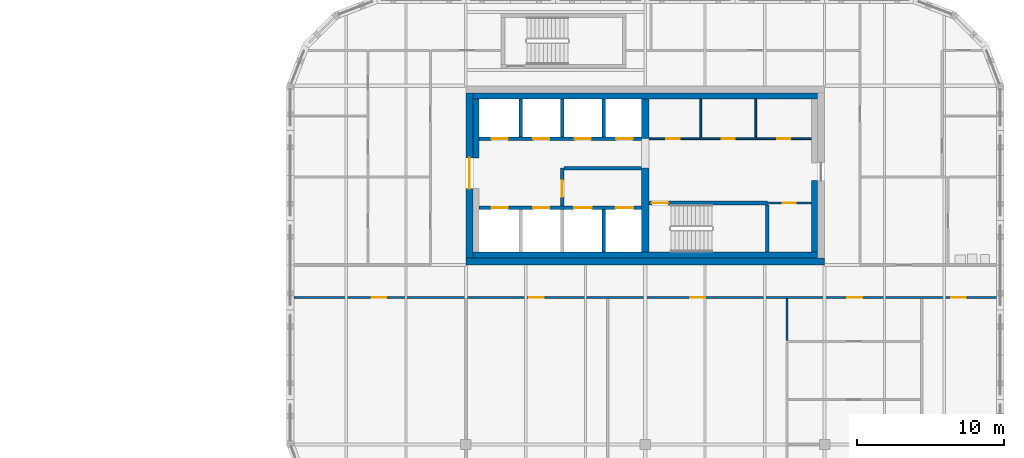
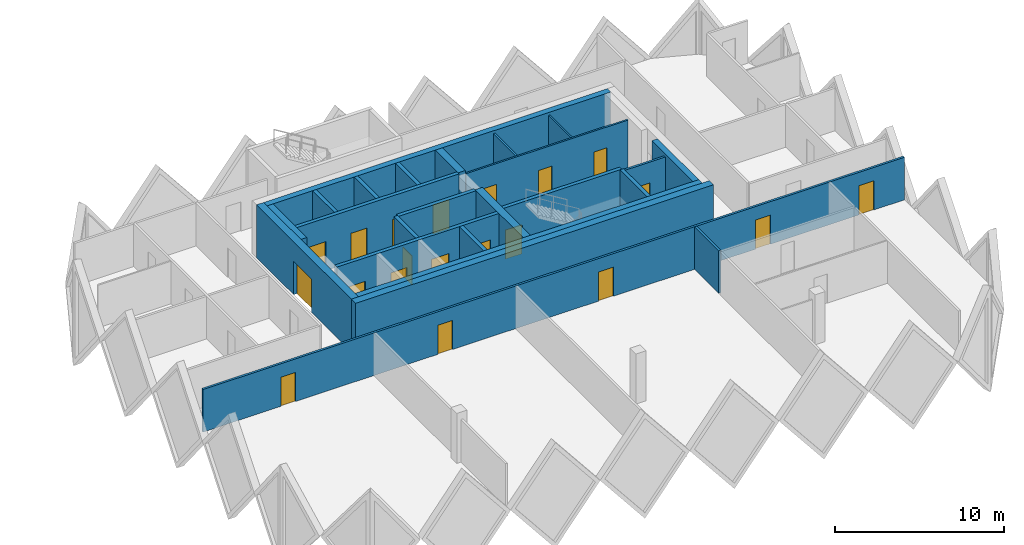
# One storey, part 13 of 19: 24 walls, 20 doors, 20 openings.
"""IFC4 building model written with IfcOpenShell, lengths in metres."""

from ifc_helpers import new_model, si_unit, direction, frame, frame_2d, origin, place, context, subcontext, project, spatial, rectangle, extrude, source, transform, mapped, material, layer, layer_set, type_object, element, fill, save


model = new_model("IFC4")

# Units and contexts
model_context = context("Model", 3, precision=1e-05, world=origin(), true_north=direction((0.0, 1.0)))
body_context = subcontext(model_context, "Body", "Model", "MODEL_VIEW")
ifc_project = project(units=[si_unit("LENGTHUNIT", "METRE"), si_unit("AREAUNIT", "SQUARE_METRE"), si_unit("VOLUMEUNIT", "CUBIC_METRE"), si_unit("PLANEANGLEUNIT", "RADIAN"), si_unit("MASSUNIT", "GRAM", prefix="KILO")], contexts=[model_context])

# Site, building, storey
site_placement = place(None, origin())
site = spatial("IfcSite", under=ifc_project, at=site_placement, CompositionType="ELEMENT")
building_placement = place(site_placement, origin())
building = spatial("IfcBuilding", under=site, at=building_placement, Name="Tessera Gate Towers", CompositionType="ELEMENT")
storey_placement = place(building_placement, frame((0.0, 0.0, 80.0)))
storey = spatial("IfcBuildingStorey", under=building, at=storey_placement, Name="L19", CompositionType="ELEMENT", Elevation=80.0)

# Wall, openings, doors
ifc_material_1 = material(Name="Concrete C40/50", Category="concrete")
ifc_layer_1 = layer(ifc_material_1, 0.25)
ifc_layer_set_1 = layer_set([ifc_layer_1], Name="CORE ENCLOSURE WALL 250")
wall_type_1 = type_object("IfcWallType", Name="CORE ENCLOSURE WALL 250", PredefinedType="SOLIDWALL", material=ifc_layer_set_1)
wall_1_placement = place(storey_placement, frame((98.5, 40.5, 0.0), z_axis=(0.0, 0.0, 1.0), x_axis=(1.0, 0.0, 0.0)))
wall_1 = element("IfcWall", 1, at=wall_1_placement, inside=storey, type_object=wall_type_1, Name="L19 shaft and stair enclosure wall", PredefinedType="SOLIDWALL", context=body_context, shape_type="SweptSolid", body=[
    extrude(rectangle(XDim=11.050048828125, YDim=0.25, at=frame_2d((5.52490234375, 0.0))), origin(), (0.0, 0.0, 1.0), 3.800048828125),
])
shared_shape_1 = source(origin(), body_context, "Body", "SweptSolid", [
    extrude(rectangle(XDim=1.10009765625, YDim=2.10009765625, at=frame_2d((0.550048828125, 1.050048828125))), frame((0.0, 0.135009765625, 0.0), z_axis=(0.0, -1.0, 0.0), x_axis=(1.0, 0.0, 0.0)), (0.0, 0.0, 1.0), 0.27001953125),
])
opening_1_placement = place(wall_1_placement, frame((0.862548828125, 0.0, 0.0)))
opening_1 = element("IfcOpeningElement", 2, at=opening_1_placement, cuts=wall_1, Name="Opening LD-TL1", PredefinedType="OPENING", context=body_context, shape_type="MappedRepresentation", body=[
    mapped(shared_shape_1, transform((0.0, 0.0, 0.0), scale=1.0)),
])
opening_2_placement = place(wall_1_placement, frame((3.6875, 0.0, 0.0)))
opening_2 = element("IfcOpeningElement", 3, at=opening_2_placement, cuts=wall_1, Name="Opening LD-TL2", PredefinedType="OPENING", context=body_context, shape_type="MappedRepresentation", body=[
    mapped(shared_shape_1, transform((0.0, 0.0, 0.0), scale=1.0)),
])
shared_shape_2 = source(origin(), body_context, "Body", "SweptSolid", [
    extrude(rectangle(XDim=1.199951171875, YDim=2.10009765625, at=frame_2d((0.60009765625, 1.050048828125))), frame((0.0, 0.135009765625, 0.0), z_axis=(0.0, -1.0, 0.0), x_axis=(1.0, 0.0, 0.0)), (0.0, 0.0, 1.0), 0.27001953125),
])
opening_3_placement = place(wall_1_placement, frame((6.46240234375, 0.0, 0.0)))
opening_3 = element("IfcOpeningElement", 4, at=opening_3_placement, cuts=wall_1, Name="Opening LD-FF3", PredefinedType="OPENING", context=body_context, shape_type="MappedRepresentation", body=[
    mapped(shared_shape_2, transform((0.0, 0.0, 0.0), scale=1.0)),
])
opening_4_placement = place(wall_1_placement, frame((9.28759765625, 0.0, 0.0)))
opening_4 = element("IfcOpeningElement", 5, at=opening_4_placement, cuts=wall_1, Name="Opening LD-FF4", PredefinedType="OPENING", context=body_context, shape_type="MappedRepresentation", body=[
    mapped(shared_shape_2, transform((0.0, 0.0, 0.0), scale=1.0)),
])
ifc_material_2 = material(Name="Stainless steel", Category="steel")
door_type_1 = type_object("IfcDoorType", Name="CORE DOOR LD1200 1200x2100", OperationType="DOUBLE_DOOR_SLIDING", PredefinedType="DOOR", material=ifc_material_2)
shared_shape_3 = source(origin(), body_context, "Body", "SweptSolid", [
    extrude(rectangle(XDim=1.199951171875, YDim=2.10009765625, at=frame_2d((0.60009765625, 1.050048828125))), frame((0.0, 0.02490234375, 0.0), z_axis=(0.0, -1.0, 0.0), x_axis=(1.0, 0.0, 0.0)), (0.0, 0.0, 1.0), 0.050048828125),
])
door_1_placement = place(opening_3_placement, origin())
door_1 = element("IfcDoor", 6, at=door_1_placement, inside=storey, type_object=door_type_1, Name="Landing door FF3 L19", OperationType="DOUBLE_DOOR_SLIDING", OverallHeight=2.10009765625, OverallWidth=1.199951171875, PredefinedType="DOOR", context=body_context, shape_type="MappedRepresentation", body=[
    mapped(shared_shape_3, transform((0.0, 0.0, 0.0), scale=1.0)),
])
fill(opening_3, door_1)
door_2_placement = place(opening_4_placement, origin())
door_2 = element("IfcDoor", 7, at=door_2_placement, inside=storey, type_object=door_type_1, Name="Landing door FF4 L19", OperationType="DOUBLE_DOOR_SLIDING", OverallHeight=2.10009765625, OverallWidth=1.199951171875, PredefinedType="DOOR", context=body_context, shape_type="MappedRepresentation", body=[
    mapped(shared_shape_3, transform((0.0, 0.0, 0.0), scale=1.0)),
])
fill(opening_4, door_2)
ifc_material_3 = material(Name="Stainless steel", Category="steel")
door_type_2 = type_object("IfcDoorType", Name="CORE DOOR LD 1100x2100", OperationType="DOUBLE_DOOR_SLIDING", PredefinedType="DOOR", material=ifc_material_3)
shared_shape_4 = source(origin(), body_context, "Body", "SweptSolid", [
    extrude(rectangle(XDim=1.10009765625, YDim=2.10009765625, at=frame_2d((0.550048828125, 1.050048828125))), frame((0.0, 0.02490234375, 0.0), z_axis=(0.0, -1.0, 0.0), x_axis=(1.0, 0.0, 0.0)), (0.0, 0.0, 1.0), 0.050048828125),
])
door_3_placement = place(opening_1_placement, origin())
door_3 = element("IfcDoor", 8, at=door_3_placement, inside=storey, type_object=door_type_2, Name="Landing door TL1 L19", OperationType="DOUBLE_DOOR_SLIDING", OverallHeight=2.10009765625, OverallWidth=1.10009765625, PredefinedType="DOOR", context=body_context, shape_type="MappedRepresentation", body=[
    mapped(shared_shape_4, transform((0.0, 0.0, 0.0), scale=1.0)),
])
fill(opening_1, door_3)
door_4_placement = place(opening_2_placement, origin())
door_4 = element("IfcDoor", 9, at=door_4_placement, inside=storey, type_object=door_type_2, Name="Landing door TL2 L19", OperationType="DOUBLE_DOOR_SLIDING", OverallHeight=2.10009765625, OverallWidth=1.10009765625, PredefinedType="DOOR", context=body_context, shape_type="MappedRepresentation", body=[
    mapped(shared_shape_4, transform((0.0, 0.0, 0.0), scale=1.0)),
])
fill(opening_2, door_4)

wall_2_placement = place(storey_placement, frame((109.550048828125, 45.199951171875, 0.0), z_axis=(0.0, 0.0, 1.0), x_axis=(-1.0, 0.0, 0.0)))
wall_2 = element("IfcWall", 10, at=wall_2_placement, inside=storey, type_object=wall_type_1, Name="L19 shaft and stair enclosure wall", PredefinedType="SOLIDWALL", context=body_context, shape_type="SweptSolid", body=[
    extrude(rectangle(XDim=11.050048828125, YDim=0.25, at=frame_2d((5.52490234375, 0.0))), origin(), (0.0, 0.0, 1.0), 3.800048828125),
])
opening_5_placement = place(wall_2_placement, frame((9.08740234375, 0.0, 0.0)))
opening_5 = element("IfcOpeningElement", 11, at=opening_5_placement, cuts=wall_2, Name="Opening LD-TL3", PredefinedType="OPENING", context=body_context, shape_type="MappedRepresentation", body=[
    mapped(shared_shape_1, transform((0.0, 0.0, 0.0), scale=1.0)),
])
opening_6_placement = place(wall_2_placement, frame((6.262451171875, 0.0, 0.0)))
opening_6 = element("IfcOpeningElement", 12, at=opening_6_placement, cuts=wall_2, Name="Opening LD-TL4", PredefinedType="OPENING", context=body_context, shape_type="MappedRepresentation", body=[
    mapped(shared_shape_1, transform((0.0, 0.0, 0.0), scale=1.0)),
])
opening_7_placement = place(wall_2_placement, frame((3.4375, 0.0, 0.0)))
opening_7 = element("IfcOpeningElement", 13, at=opening_7_placement, cuts=wall_2, Name="Opening LD-TL5", PredefinedType="OPENING", context=body_context, shape_type="MappedRepresentation", body=[
    mapped(shared_shape_1, transform((0.0, 0.0, 0.0), scale=1.0)),
])
opening_8_placement = place(wall_2_placement, frame((0.612548828125, 0.0, 0.0)))
opening_8 = element("IfcOpeningElement", 14, at=opening_8_placement, cuts=wall_2, Name="Opening LD-TL6", PredefinedType="OPENING", context=body_context, shape_type="MappedRepresentation", body=[
    mapped(shared_shape_1, transform((0.0, 0.0, 0.0), scale=1.0)),
])
door_5_placement = place(opening_5_placement, origin())
door_5 = element("IfcDoor", 15, at=door_5_placement, inside=storey, type_object=door_type_2, Name="Landing door TL3 L19", OperationType="DOUBLE_DOOR_SLIDING", OverallHeight=2.10009765625, OverallWidth=1.10009765625, PredefinedType="DOOR", context=body_context, shape_type="MappedRepresentation", body=[
    mapped(shared_shape_4, transform((0.0, 0.0, 0.0), scale=1.0)),
])
fill(opening_5, door_5)
door_6_placement = place(opening_6_placement, origin())
door_6 = element("IfcDoor", 16, at=door_6_placement, inside=storey, type_object=door_type_2, Name="Landing door TL4 L19", OperationType="DOUBLE_DOOR_SLIDING", OverallHeight=2.10009765625, OverallWidth=1.10009765625, PredefinedType="DOOR", context=body_context, shape_type="MappedRepresentation", body=[
    mapped(shared_shape_4, transform((0.0, 0.0, 0.0), scale=1.0)),
])
fill(opening_6, door_6)
door_7_placement = place(opening_7_placement, origin())
door_7 = element("IfcDoor", 17, at=door_7_placement, inside=storey, type_object=door_type_2, Name="Landing door TL5 L19", OperationType="DOUBLE_DOOR_SLIDING", OverallHeight=2.10009765625, OverallWidth=1.10009765625, PredefinedType="DOOR", context=body_context, shape_type="MappedRepresentation", body=[
    mapped(shared_shape_4, transform((0.0, 0.0, 0.0), scale=1.0)),
])
fill(opening_7, door_7)
door_8_placement = place(opening_8_placement, origin())
door_8 = element("IfcDoor", 18, at=door_8_placement, inside=storey, type_object=door_type_2, Name="Landing door TL6 L19", OperationType="DOUBLE_DOOR_SLIDING", OverallHeight=2.10009765625, OverallWidth=1.10009765625, PredefinedType="DOOR", context=body_context, shape_type="MappedRepresentation", body=[
    mapped(shared_shape_4, transform((0.0, 0.0, 0.0), scale=1.0)),
])
fill(opening_8, door_8)

# Wall, opening, door
wall_3_placement = place(storey_placement, frame((118.10009765625, 40.824951171875, 0.0), z_axis=(0.0, 0.0, 1.0), x_axis=(-1.0, 0.0, 0.0)))
wall_3 = element("IfcWall", 19, at=wall_3_placement, inside=storey, type_object=wall_type_1, Name="L19 shaft and stair enclosure wall", PredefinedType="SOLIDWALL", context=body_context, shape_type="SweptSolid", body=[
    extrude(rectangle(XDim=8.050048828125, YDim=0.25, at=frame_2d((4.02490234375, 0.0))), origin(), (0.0, 0.0, 1.0), 3.800048828125),
])
opening_9_placement = place(wall_3_placement, frame((6.75, 0.0, 0.0)))
opening_9 = element("IfcOpeningElement", 20, at=opening_9_placement, cuts=wall_3, Name="Opening SD-ST6-1", PredefinedType="OPENING", context=body_context, shape_type="MappedRepresentation", body=[
    mapped(shared_shape_1, transform((0.0, 0.0, 0.0), scale=1.0)),
])
ifc_material_4 = material(Name="Hollow steel fire door", Category="steel")
door_type_3 = type_object("IfcDoorType", Name="CORE DOOR SD1100 1100x2100", OperationType="NOTDEFINED", PredefinedType="DOOR", material=ifc_material_4)
door_9_placement = place(opening_9_placement, origin())
door_9 = element("IfcDoor", 21, at=door_9_placement, inside=storey, type_object=door_type_3, Name="Stair door", OperationType="SINGLE_SWING_RIGHT", OverallHeight=2.10009765625, OverallWidth=1.10009765625, PredefinedType="DOOR", context=body_context, shape_type="MappedRepresentation", body=[
    mapped(shared_shape_4, transform((0.0, 0.0, 0.0), scale=1.0)),
])
fill(opening_9, door_9)

wall_4_placement = place(storey_placement, frame((104.14990234375, 43.199951171875, 0.0), z_axis=(0.0, 0.0, 1.0), x_axis=(0.0, -1.0, 0.0)))
wall_4 = element("IfcWall", 22, at=wall_4_placement, inside=storey, type_object=wall_type_1, Name="L19 shaft and stair enclosure wall", PredefinedType="SOLIDWALL", context=body_context, shape_type="SweptSolid", body=[
    extrude(rectangle(XDim=2.574951171875, YDim=0.25, at=frame_2d((1.28759765625, 0.0))), origin(), (0.0, 0.0, 1.0), 3.800048828125),
])
opening_10_placement = place(wall_4_placement, frame((0.85009765625, 0.0, 0.0)))
opening_10 = element("IfcOpeningElement", 23, at=opening_10_placement, cuts=wall_4, Name="Opening FD-T2-11-03", PredefinedType="OPENING", context=body_context, shape_type="MappedRepresentation", body=[
    mapped(shared_shape_1, transform((0.0, 0.0, 0.0), scale=1.0)),
])
ifc_material_5 = material(Name="Hollow steel fire door", Category="steel")
door_type_4 = type_object("IfcDoorType", Name="CORE DOOR FD 1100x2100", OperationType="NOTDEFINED", PredefinedType="DOOR", material=ifc_material_5)
door_10_placement = place(opening_10_placement, origin())
door_10 = element("IfcDoor", 24, at=door_10_placement, inside=storey, type_object=door_type_4, Name="Fire-fighting lobby door", OperationType="SINGLE_SWING_RIGHT", OverallHeight=2.10009765625, OverallWidth=1.10009765625, PredefinedType="DOOR", context=body_context, shape_type="MappedRepresentation", body=[
    mapped(shared_shape_4, transform((0.0, 0.0, 0.0), scale=1.0)),
])
fill(opening_10, door_10)

# Walls
wall_5_placement = place(storey_placement, frame((104.27490234375, 43.199951171875, 0.0), z_axis=(0.0, 0.0, 1.0), x_axis=(1.0, 0.0, 0.0)))
element("IfcWall", 25, at=wall_5_placement, inside=storey, type_object=wall_type_1, Name="L19 shaft and stair enclosure wall", PredefinedType="SOLIDWALL", context=body_context, shape_type="SweptSolid", body=[
    extrude(rectangle(XDim=5.275146484375, YDim=0.25, at=frame_2d((2.6376953125, 0.0))), origin(), (0.0, 0.0, 1.0), 3.800048828125),
])
wall_6_placement = place(storey_placement, frame((118.10009765625, 37.5, 0.0), z_axis=(0.0, 0.0, 1.0), x_axis=(0.0, 1.0, 0.0)))
element("IfcWall", 26, at=wall_6_placement, inside=storey, type_object=wall_type_1, Name="L19 shaft and stair enclosure wall", PredefinedType="SOLIDWALL", context=body_context, shape_type="SweptSolid", body=[
    extrude(rectangle(XDim=3.199951171875, YDim=0.25, at=frame_2d((1.60009765625, 0.0))), origin(), (0.0, 0.0, 1.0), 3.800048828125),
])
wall_7_placement = place(storey_placement, frame((106.97509765625, 37.5, 0.0), z_axis=(0.0, 0.0, 1.0), x_axis=(0.0, 1.0, 0.0)))
element("IfcWall", 27, at=wall_7_placement, inside=storey, type_object=wall_type_1, Name="L19 shaft and stair enclosure wall", PredefinedType="SOLIDWALL", context=body_context, shape_type="SweptSolid", body=[
    extrude(rectangle(XDim=2.875, YDim=0.25, at=frame_2d((1.4375, 0.0))), origin(), (0.0, 0.0, 1.0), 3.800048828125),
])
for number, where, z_axis, x_axis, name in (
    (28, (101.324951171875, 45.324951171875, 0.0), (0.0, 0.0, 1.0), (0.0, 1.0, 0.0), "L19 shaft and stair enclosure wall"),
    (29, (104.14990234375, 45.324951171875, 0.0), (0.0, 0.0, 1.0), (0.0, 1.0, 0.0), "L19 shaft and stair enclosure wall"),
    (30, (106.97509765625, 45.324951171875, 0.0), (0.0, 0.0, 1.0), (0.0, 1.0, 0.0), "L19 shaft and stair enclosure wall"),
):
    element("IfcWall", number, at=place(storey_placement, frame(where, z_axis=z_axis, x_axis=x_axis)), inside=storey, type_object=wall_type_1, Name=name, PredefinedType="SOLIDWALL", context=body_context, shape_type="SweptSolid", body=[
        extrude(rectangle(XDim=2.574951171875, YDim=0.25, at=frame_2d((1.28759765625, 0.0))), origin(), (0.0, 0.0, 1.0), 3.800048828125),
    ])

# Wall, openings, doors
ifc_material_6 = material(Name="Gypsum board on steel studs", Category="steel")
ifc_layer_2 = layer(ifc_material_6, 0.1201171875)
ifc_layer_set_2 = layer_set([ifc_layer_2], Name="CORE PARTITION 120")
wall_type_2 = type_object("IfcWallType", Name="CORE PARTITION 120", PredefinedType="PARTITIONING", material=ifc_layer_set_2)
wall_8_placement = place(storey_placement, frame((110.050048828125, 45.199951171875, 0.0), z_axis=(0.0, 0.0, 1.0), x_axis=(1.0, 0.0, 0.0)))
wall_8 = element("IfcWall", 31, at=wall_8_placement, inside=storey, type_object=wall_type_2, Name="L19 core partition", PredefinedType="PARTITIONING", context=body_context, shape_type="SweptSolid", body=[
    extrude(rectangle(XDim=11.050048828125, YDim=0.1201171875, at=frame_2d((5.52490234375, 0.0))), origin(), (0.0, 0.0, 1.0), 3.60009765625),
])
shared_shape_5 = source(origin(), body_context, "Body", "SweptSolid", [
    extrude(rectangle(XDim=0.89990234375, YDim=2.10009765625, at=frame_2d((0.449951171875, 1.050048828125))), frame((0.0, 0.070068359375, 0.0), z_axis=(0.0, -1.0, 0.0), x_axis=(1.0, 0.0, 0.0)), (0.0, 0.0, 1.0), 0.14013671875),
])
opening_11_placement = place(wall_8_placement, frame((1.1875, 0.0, 0.0)))
opening_11 = element("IfcOpeningElement", 32, at=opening_11_placement, cuts=wall_8, Name="Opening RD-T2-11-04", PredefinedType="OPENING", context=body_context, shape_type="MappedRepresentation", body=[
    mapped(shared_shape_5, transform((0.0, 0.0, 0.0), scale=1.0)),
])
opening_12_placement = place(wall_8_placement, frame((4.949951171875, 0.0, 0.0)))
opening_12 = element("IfcOpeningElement", 33, at=opening_12_placement, cuts=wall_8, Name="Opening RD-T2-11-05", PredefinedType="OPENING", context=body_context, shape_type="MappedRepresentation", body=[
    mapped(shared_shape_5, transform((0.0, 0.0, 0.0), scale=1.0)),
])
opening_13_placement = place(wall_8_placement, frame((8.71240234375, 0.0, 0.0)))
opening_13 = element("IfcOpeningElement", 34, at=opening_13_placement, cuts=wall_8, Name="Opening RD-T2-11-06", PredefinedType="OPENING", context=body_context, shape_type="MappedRepresentation", body=[
    mapped(shared_shape_5, transform((0.0, 0.0, 0.0), scale=1.0)),
])
ifc_material_7 = material(Name="Hollow steel fire door", Category="steel")
door_type_5 = type_object("IfcDoorType", Name="CORE DOOR RD 900x2100", OperationType="NOTDEFINED", PredefinedType="DOOR", material=ifc_material_7)
shared_shape_6 = source(origin(), body_context, "Body", "SweptSolid", [
    extrude(rectangle(XDim=0.89990234375, YDim=2.10009765625, at=frame_2d((0.449951171875, 1.050048828125))), frame((0.0, 0.02490234375, 0.0), z_axis=(0.0, -1.0, 0.0), x_axis=(1.0, 0.0, 0.0)), (0.0, 0.0, 1.0), 0.050048828125),
])
door_11_placement = place(opening_11_placement, origin())
door_11 = element("IfcDoor", 35, at=door_11_placement, inside=storey, type_object=door_type_5, Name="Core room door", OperationType="SINGLE_SWING_LEFT", OverallHeight=2.10009765625, OverallWidth=0.89990234375, PredefinedType="DOOR", context=body_context, shape_type="MappedRepresentation", body=[
    mapped(shared_shape_6, transform((0.0, 0.0, 0.0), scale=1.0)),
])
fill(opening_11, door_11)
door_12_placement = place(opening_12_placement, origin())
door_12 = element("IfcDoor", 36, at=door_12_placement, inside=storey, type_object=door_type_5, Name="Core room door", OperationType="SINGLE_SWING_LEFT", OverallHeight=2.10009765625, OverallWidth=0.89990234375, PredefinedType="DOOR", context=body_context, shape_type="MappedRepresentation", body=[
    mapped(shared_shape_6, transform((0.0, 0.0, 0.0), scale=1.0)),
])
fill(opening_12, door_12)
door_13_placement = place(opening_13_placement, origin())
door_13 = element("IfcDoor", 37, at=door_13_placement, inside=storey, type_object=door_type_5, Name="Core room door", OperationType="SINGLE_SWING_RIGHT", OverallHeight=2.10009765625, OverallWidth=0.89990234375, PredefinedType="DOOR", context=body_context, shape_type="MappedRepresentation", body=[
    mapped(shared_shape_6, transform((0.0, 0.0, 0.0), scale=1.0)),
])
fill(opening_13, door_13)

# Walls
for number, where, z_axis, x_axis, name in (
    (38, (113.574951171875, 45.260009765625, 0.0), (0.0, 0.0, 1.0), (0.0, 1.0, 0.0), "L19 core partition"),
    (39, (117.324951171875, 45.260009765625, 0.0), (0.0, 0.0, 1.0), (0.0, 1.0, 0.0), "L19 core partition"),
):
    element("IfcWall", number, at=place(storey_placement, frame(where, z_axis=z_axis, x_axis=x_axis)), inside=storey, type_object=wall_type_2, Name=name, PredefinedType="PARTITIONING", context=body_context, shape_type="SweptSolid", body=[
        extrude(rectangle(XDim=2.639892578125, YDim=0.1201171875, at=frame_2d((1.31982421875, 0.0))), origin(), (0.0, 0.0, 1.0), 3.60009765625),
    ])
ifc_material_8 = material(Name="Concrete C50/60", Category="concrete")
ifc_layer_3 = layer(ifc_material_8, 0.5)
ifc_layer_set_3 = layer_set([ifc_layer_3], Name="CORE SHEAR WALL 500 C50/60")
wall_type_3 = type_object("IfcWallType", Name="CORE SHEAR WALL 500 C50/60", PredefinedType="SHEAR", material=ifc_layer_set_3)
wall_9_placement = place(storey_placement, frame((122.0, 36.85009765625, 0.0), z_axis=(0.0, 0.0, 1.0), x_axis=(-1.0, 0.0, 0.0)))
element("IfcWall", 40, at=wall_9_placement, inside=storey, type_object=wall_type_3, Name="Core wall S L19", PredefinedType="SHEAR", context=body_context, shape_type="SweptSolid", body=[
    extrude(rectangle(XDim=24.39990234375, YDim=0.5, at=frame_2d((12.199951171875, 0.0))), origin(), (0.0, 0.0, 1.0), 3.800048828125),
])

# Wall, opening, door
wall_10_placement = place(storey_placement, frame((97.85009765625, 37.10009765625, 0.0), z_axis=(0.0, 0.0, 1.0), x_axis=(0.0, 1.0, 0.0)))
wall_10 = element("IfcWall", 41, at=wall_10_placement, inside=storey, type_object=wall_type_3, Name="Core wall W L19", PredefinedType="SHEAR", context=body_context, shape_type="SweptSolid", body=[
    extrude(rectangle(XDim=11.199951171875, YDim=0.5, at=frame_2d((5.60009765625, 0.0))), origin(), (0.0, 0.0, 1.0), 3.800048828125),
])
shared_shape_7 = source(origin(), body_context, "Body", "SweptSolid", [
    extrude(rectangle(XDim=2.10009765625, YDim=2.39990234375, at=frame_2d((1.050048828125, 1.199951171875))), frame((0.0, 0.260009765625, 0.0), z_axis=(0.0, -1.0, 0.0), x_axis=(1.0, 0.0, 0.0)), (0.0, 0.0, 1.0), 0.52001953125),
])
opening_14_placement = place(wall_10_placement, frame((4.699951171875, 0.0, 0.0)))
opening_14 = element("IfcOpeningElement", 42, at=opening_14_placement, cuts=wall_10, Name="Opening DD-T2-11-01", PredefinedType="OPENING", context=body_context, shape_type="MappedRepresentation", body=[
    mapped(shared_shape_7, transform((0.0, 0.0, 0.0), scale=1.0)),
])
ifc_material_9 = material(Name="Hollow steel fire door", Category="steel")
door_type_6 = type_object("IfcDoorType", Name="CORE DOOR DD 2100x2400", OperationType="NOTDEFINED", PredefinedType="DOOR", material=ifc_material_9)
shared_shape_8 = source(origin(), body_context, "Body", "SweptSolid", [
    extrude(rectangle(XDim=2.10009765625, YDim=2.39990234375, at=frame_2d((1.050048828125, 1.199951171875))), frame((0.0, 0.02490234375, 0.0), z_axis=(0.0, -1.0, 0.0), x_axis=(1.0, 0.0, 0.0)), (0.0, 0.0, 1.0), 0.050048828125),
])
door_14_placement = place(opening_14_placement, origin())
door_14 = element("IfcDoor", 43, at=door_14_placement, inside=storey, type_object=door_type_6, Name="Core entrance door", OperationType="DOUBLE_DOOR_SINGLE_SWING", OverallHeight=2.39990234375, OverallWidth=2.10009765625, PredefinedType="DOOR", context=body_context, shape_type="MappedRepresentation", body=[
    mapped(shared_shape_8, transform((0.0, 0.0, 0.0), scale=1.0)),
])
fill(opening_14, door_14)

# Walls
ifc_material_10 = material(Name="Concrete C50/60", Category="concrete")
ifc_layer_4 = layer(ifc_material_10, 0.5)
ifc_layer_set_4 = layer_set([ifc_layer_4], Name="CORE SPINE WALL 500 C50/60")
wall_type_4 = type_object("IfcWallType", Name="CORE SPINE WALL 500 C50/60", PredefinedType="SHEAR", material=ifc_layer_set_4)
wall_11_placement = place(storey_placement, frame((109.800048828125, 37.5, 0.0), z_axis=(0.0, 0.0, 1.0), x_axis=(0.0, 1.0, 0.0)))
element("IfcWall", 44, at=wall_11_placement, inside=storey, type_object=wall_type_4, Name="Core wall spine L19", PredefinedType="SHEAR", context=body_context, shape_type="SweptSolid", body=[
    extrude(rectangle(XDim=5.699951171875, YDim=0.5, at=frame_2d((2.85009765625, 0.0))), origin(), (0.0, 0.0, 1.0), 3.800048828125),
])
wall_12_placement = place(storey_placement, frame((109.800048828125, 45.199951171875, 0.0), z_axis=(0.0, 0.0, 1.0), x_axis=(0.0, 1.0, 0.0)))
element("IfcWall", 45, at=wall_12_placement, inside=storey, type_object=wall_type_4, Name="Core wall spine L19", PredefinedType="SHEAR", context=body_context, shape_type="SweptSolid", body=[
    extrude(rectangle(XDim=2.699951171875, YDim=0.5, at=frame_2d((1.35009765625, 0.0))), origin(), (0.0, 0.0, 1.0), 3.800048828125),
])
ifc_material_11 = material(Name="Concrete C50/60", Category="concrete")
ifc_layer_5 = layer(ifc_material_11, 0.39990234375)
ifc_layer_set_5 = layer_set([ifc_layer_5], Name="CORE WALL THICKENING 400")
wall_type_5 = type_object("IfcWallType", Name="CORE WALL THICKENING 400", PredefinedType="SOLIDWALL", material=ifc_layer_set_5)
for number, where, z_axis, x_axis, name in (
    (46, (98.10009765625, 37.300048828125, 0.0), (0.0, 0.0, 1.0), (1.0, 0.0, 0.0), "Core wall thickening S L19"),
    (47, (98.10009765625, 48.10009765625, 0.0), (0.0, 0.0, 1.0), (1.0, 0.0, 0.0), "Core wall thickening N L19"),
):
    element("IfcWall", number, at=place(storey_placement, frame(where, z_axis=z_axis, x_axis=x_axis)), inside=storey, type_object=wall_type_5, Name=name, PredefinedType="SOLIDWALL", context=body_context, shape_type="SweptSolid", body=[
        extrude(rectangle(XDim=23.39990234375, YDim=0.39990234375, at=frame_2d((11.699951171875, 0.0))), origin(), (0.0, 0.0, 1.0), 3.800048828125),
    ])
wall_13_placement = place(storey_placement, frame((98.300048828125, 43.89990234375, 0.0), z_axis=(0.0, 0.0, 1.0), x_axis=(0.0, 1.0, 0.0)))
element("IfcWall", 48, at=wall_13_placement, inside=storey, type_object=wall_type_5, Name="Core wall thickening W L19", PredefinedType="SOLIDWALL", context=body_context, shape_type="SweptSolid", body=[
    extrude(rectangle(XDim=4.0, YDim=0.39990234375, at=frame_2d((2.0, 0.0))), origin(), (0.0, 0.0, 1.0), 3.800048828125),
])
wall_14_placement = place(storey_placement, frame((121.300048828125, 37.5, 0.0), z_axis=(0.0, 0.0, 1.0), x_axis=(0.0, 1.0, 0.0)))
element("IfcWall", 49, at=wall_14_placement, inside=storey, type_object=wall_type_5, Name="Core wall thickening E L19", PredefinedType="SOLIDWALL", context=body_context, shape_type="SweptSolid", body=[
    extrude(rectangle(XDim=4.85009765625, YDim=0.39990234375, at=frame_2d((2.425048828125, 0.0))), origin(), (0.0, 0.0, 1.0), 3.800048828125),
])

# Wall, openings, doors
ifc_material_12 = material(Name="Gypsum board on steel studs, mineral wool", Category="steel")
ifc_layer_6 = layer(ifc_material_12, 0.14990234375)
ifc_layer_set_6 = layer_set([ifc_layer_6], Name="CORRIDOR WALL 150")
wall_type_6 = type_object("IfcWallType", Name="CORRIDOR WALL 150", PredefinedType="PARTITIONING", material=ifc_layer_set_6)
wall_15_placement = place(storey_placement, frame((133.699951171875, 34.39990234375, 0.0), z_axis=(0.0, 0.0, 1.0), x_axis=(-1.0, 0.0, 0.0)))
wall_15 = element("IfcWall", 50, at=wall_15_placement, inside=storey, type_object=wall_type_6, Name="T2-L19-PW-011", PredefinedType="PARTITIONING", context=body_context, shape_type="SweptSolid", body=[
    extrude(rectangle(XDim=47.800048828125, YDim=0.14990234375, at=frame_2d((23.89990234375, 0.0))), origin(), (0.0, 0.0, 1.0), 3.06689453125),
])
shared_shape_9 = source(origin(), body_context, "Body", "SweptSolid", [
    extrude(rectangle(XDim=1.0, YDim=2.10009765625, at=frame_2d((0.5, 1.050048828125))), frame((0.0, 0.0849609375, 0.0), z_axis=(0.0, -1.0, 0.0), x_axis=(1.0, 0.0, 0.0)), (0.0, 0.0, 1.0), 0.169921875),
])
opening_15_placement = place(wall_15_placement, frame((2.09912109375, 0.0, 0.0)))
opening_15 = element("IfcOpeningElement", 51, at=opening_15_placement, cuts=wall_15, Name="Opening D2100FD60-B08-01", PredefinedType="OPENING", context=body_context, shape_type="MappedRepresentation", body=[
    mapped(shared_shape_9, transform((0.0, 0.0, 0.0), scale=1.0)),
])
opening_16_placement = place(wall_15_placement, frame((9.14892578125, 0.0, 0.0)))
opening_16 = element("IfcOpeningElement", 52, at=opening_16_placement, cuts=wall_15, Name="Opening D2100FD60-B08-05", PredefinedType="OPENING", context=body_context, shape_type="MappedRepresentation", body=[
    mapped(shared_shape_9, transform((0.0, 0.0, 0.0), scale=1.0)),
])
opening_17_placement = place(wall_15_placement, frame((30.799072265625, 0.0, 0.0)))
opening_17 = element("IfcOpeningElement", 53, at=opening_17_placement, cuts=wall_15, Name="Opening D2100FD60-B08-06", PredefinedType="OPENING", context=body_context, shape_type="MappedRepresentation", body=[
    mapped(shared_shape_9, transform((0.0, 0.0, 0.0), scale=1.0)),
])
opening_18_placement = place(wall_15_placement, frame((41.5, 0.0, 0.0)))
opening_18 = element("IfcOpeningElement", 54, at=opening_18_placement, cuts=wall_15, Name="Opening D2100FD60-B08-08", PredefinedType="OPENING", context=body_context, shape_type="MappedRepresentation", body=[
    mapped(shared_shape_9, transform((0.0, 0.0, 0.0), scale=1.0)),
])
opening_19_placement = place(wall_15_placement, frame((19.85009765625, 0.0, 0.0)))
opening_19 = element("IfcOpeningElement", 55, at=opening_19_placement, cuts=wall_15, Name="Opening D2100FD60-B08-10", PredefinedType="OPENING", context=body_context, shape_type="MappedRepresentation", body=[
    mapped(shared_shape_9, transform((0.0, 0.0, 0.0), scale=1.0)),
])
ifc_material_13 = material(Name="Timber door leaf in steel frame", Category="steel")
door_type_7 = type_object("IfcDoorType", Name="TENANCY ENTRANCE DOOR 1000 FD60", OperationType="NOTDEFINED", PredefinedType="DOOR", material=ifc_material_13)
shared_shape_10 = source(origin(), body_context, "Body", "SweptSolid", [
    extrude(rectangle(XDim=1.0, YDim=2.10009765625, at=frame_2d((0.5, 1.050048828125))), frame((0.0, 0.02490234375, 0.0), z_axis=(0.0, -1.0, 0.0), x_axis=(1.0, 0.0, 0.0)), (0.0, 0.0, 1.0), 0.050048828125),
])
door_15_placement = place(opening_15_placement, origin())
door_15 = element("IfcDoor", 56, at=door_15_placement, inside=storey, type_object=door_type_7, Name="T2-L19-PD-004", OperationType="SINGLE_SWING_RIGHT", OverallHeight=2.10009765625, OverallWidth=1.0, PredefinedType="DOOR", context=body_context, shape_type="MappedRepresentation", body=[
    mapped(shared_shape_10, transform((0.0, 0.0, 0.0), scale=1.0)),
])
fill(opening_15, door_15)
door_16_placement = place(opening_16_placement, origin())
door_16 = element("IfcDoor", 57, at=door_16_placement, inside=storey, type_object=door_type_7, Name="T2-L19-PD-012", OperationType="SINGLE_SWING_RIGHT", OverallHeight=2.10009765625, OverallWidth=1.0, PredefinedType="DOOR", context=body_context, shape_type="MappedRepresentation", body=[
    mapped(shared_shape_10, transform((0.0, 0.0, 0.0), scale=1.0)),
])
fill(opening_16, door_16)
door_17_placement = place(opening_17_placement, origin())
door_17 = element("IfcDoor", 58, at=door_17_placement, inside=storey, type_object=door_type_7, Name="T2-L19-PD-014", OperationType="SINGLE_SWING_RIGHT", OverallHeight=2.10009765625, OverallWidth=1.0, PredefinedType="DOOR", context=body_context, shape_type="MappedRepresentation", body=[
    mapped(shared_shape_10, transform((0.0, 0.0, 0.0), scale=1.0)),
])
fill(opening_17, door_17)
door_18_placement = place(opening_18_placement, origin())
door_18 = element("IfcDoor", 59, at=door_18_placement, inside=storey, type_object=door_type_7, Name="T2-L19-PD-016", OperationType="SINGLE_SWING_RIGHT", OverallHeight=2.10009765625, OverallWidth=1.0, PredefinedType="DOOR", context=body_context, shape_type="MappedRepresentation", body=[
    mapped(shared_shape_10, transform((0.0, 0.0, 0.0), scale=1.0)),
])
fill(opening_18, door_18)
door_19_placement = place(opening_19_placement, origin())
door_19 = element("IfcDoor", 60, at=door_19_placement, inside=storey, type_object=door_type_7, Name="T2-L19-PD-018", OperationType="SINGLE_SWING_RIGHT", OverallHeight=2.10009765625, OverallWidth=1.0, PredefinedType="DOOR", context=body_context, shape_type="MappedRepresentation", body=[
    mapped(shared_shape_10, transform((0.0, 0.0, 0.0), scale=1.0)),
])
fill(opening_19, door_19)

# Wall, opening, door
ifc_material_14 = material(Name="Gypsum board on steel studs", Category="steel")
ifc_layer_7 = layer(ifc_material_14, 0.14990234375)
ifc_layer_set_7 = layer_set([ifc_layer_7], Name="SERVICE ROOM WALL 150")
wall_type_7 = type_object("IfcWallType", Name="SERVICE ROOM WALL 150", PredefinedType="PARTITIONING", material=ifc_layer_set_7)
wall_16_placement = place(storey_placement, frame((121.10009765625, 40.824951171875, 0.0), z_axis=(0.0, 0.0, 1.0), x_axis=(-1.0, 0.0, 0.0)))
wall_16 = element("IfcWall", 61, at=wall_16_placement, inside=storey, type_object=wall_type_7, Name="L19 service room wall", PredefinedType="PARTITIONING", context=body_context, shape_type="SweptSolid", body=[
    extrude(rectangle(XDim=3.0, YDim=0.14990234375, at=frame_2d((1.5, 0.0))), origin(), (0.0, 0.0, 1.0), 3.60009765625),
])
shared_shape_11 = source(origin(), body_context, "Body", "SweptSolid", [
    extrude(rectangle(XDim=0.89990234375, YDim=2.10009765625, at=frame_2d((0.449951171875, 1.050048828125))), frame((0.0, 0.0849609375, 0.0), z_axis=(0.0, -1.0, 0.0), x_axis=(1.0, 0.0, 0.0)), (0.0, 0.0, 1.0), 0.169921875),
])
opening_20_placement = place(wall_16_placement, frame((1.050048828125, 0.0, 0.0)))
opening_20 = element("IfcOpeningElement", 62, at=opening_20_placement, cuts=wall_16, Name="Opening RD-T2-11-07", PredefinedType="OPENING", context=body_context, shape_type="MappedRepresentation", body=[
    mapped(shared_shape_11, transform((0.0, 0.0, 0.0), scale=1.0)),
])
door_20_placement = place(opening_20_placement, origin())
door_20 = element("IfcDoor", 63, at=door_20_placement, inside=storey, type_object=door_type_5, Name="Core room door", OperationType="SINGLE_SWING_RIGHT", OverallHeight=2.10009765625, OverallWidth=0.89990234375, PredefinedType="DOOR", context=body_context, shape_type="MappedRepresentation", body=[
    mapped(shared_shape_6, transform((0.0, 0.0, 0.0), scale=1.0)),
])
fill(opening_20, door_20)

# Wall
ifc_material_15 = material(Name="Gypsum board on steel studs, mineral wool", Category="steel")
ifc_layer_8 = layer(ifc_material_15, 0.14990234375)
ifc_layer_set_8 = layer_set([ifc_layer_8], Name="TENANCY WALL 150")
wall_type_8 = type_object("IfcWallType", Name="TENANCY WALL 150", PredefinedType="PARTITIONING", material=ifc_layer_set_8)
wall_17_placement = place(storey_placement, frame((119.449951171875, 31.47607421875, 0.0), z_axis=(0.0, 0.0, 1.0), x_axis=(0.0, 1.0, 0.0)))
element("IfcWall", 64, at=wall_17_placement, inside=storey, type_object=wall_type_8, Name="T2-L19-PW-009", PredefinedType="PARTITIONING", context=body_context, shape_type="SweptSolid", body=[
    extrude(rectangle(XDim=2.847900390625, YDim=0.14990234375, at=frame_2d((1.423828125, 0.0))), origin(), (0.0, 0.0, 1.0), 3.06689453125),
])

save(model, "model.ifc")
